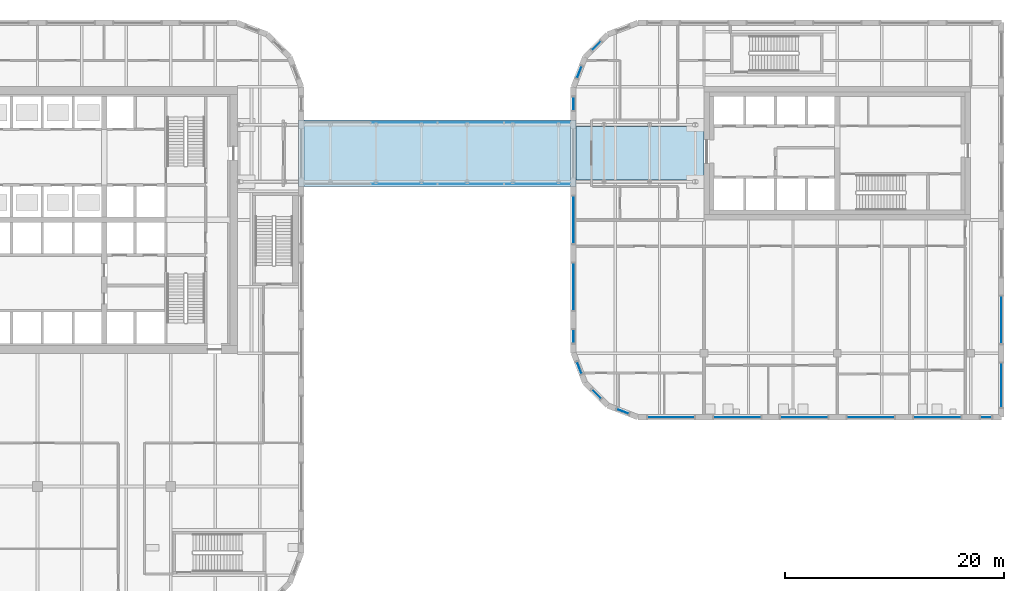
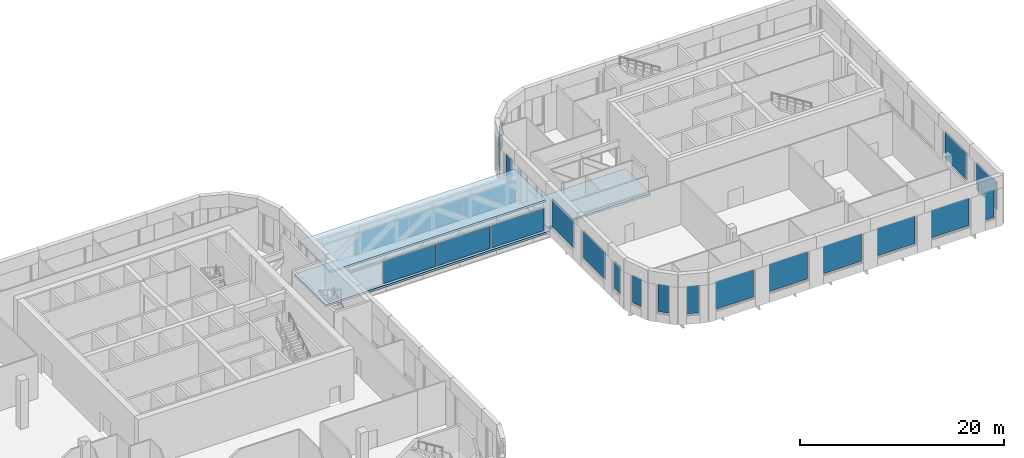
# One storey, part 18 of 36: 23 plates, 3 slabs, 23 elements without a shape of their own.
"""IFC4 building model written with IfcOpenShell, lengths in metres."""

from ifc_helpers import new_model, si_unit, direction, frame, origin, origin_2d, place, context, subcontext, project, spatial, polyline, rectangle, outline, extrude, material, layer, layer_set, type_object, element, aggregate, save


model = new_model("IFC4")

# Units and contexts
model_context = context("Model", 3, precision=1e-05, world=origin(), true_north=direction((0.0, 1.0)))
body_context = subcontext(model_context, "Body", "Model", "MODEL_VIEW")
ifc_project = project(units=[si_unit("LENGTHUNIT", "METRE"), si_unit("AREAUNIT", "SQUARE_METRE"), si_unit("VOLUMEUNIT", "CUBIC_METRE"), si_unit("PLANEANGLEUNIT", "RADIAN"), si_unit("MASSUNIT", "GRAM", prefix="KILO")], contexts=[model_context])

# Site, building, storey
site_placement = place(None, origin())
site = spatial("IfcSite", under=ifc_project, at=site_placement, CompositionType="ELEMENT")
building_placement = place(site_placement, origin())
building = spatial("IfcBuilding", under=site, at=building_placement, Name="Tessera Gate Towers", CompositionType="ELEMENT")
storey_placement = place(building_placement, frame((0.0, 0.0, 106.60009765625)))
storey = spatial("IfcBuildingStorey", under=building, at=storey_placement, Name="L26", CompositionType="ELEMENT", Elevation=106.60009765625)

# Slabs
ifc_material_1 = material(Name="Concrete C35/45", Category="concrete")
ifc_layer_1 = layer(ifc_material_1, 0.25)
ifc_layer_set_1 = layer_set([ifc_layer_1], Name="BRIDGE ROOF 250")
slab_type_1 = type_object("IfcSlabType", Name="BRIDGE ROOF 250", PredefinedType="ROOF", material=ifc_layer_set_1)
slab_1_placement = place(storey_placement, frame((0.0, 0.0, 3.60400390625)))
element("IfcSlab", 1, at=slab_1_placement, inside=storey, type_object=slab_type_1, Name="Bridge roof BR2", PredefinedType="ROOF", context=body_context, shape_type="SweptSolid", body=[
    extrude(outline(polyline([(61.0, 39.64990234375), (85.39990234375, 39.64990234375), (85.39990234375, 45.75), (61.0, 45.75), (61.0, 39.64990234375)])), origin(), (0.0, 0.0, 1.0), 0.25),
])
ifc_material_2 = material(Name="Concrete C35/45", Category="concrete")
ifc_layer_2 = layer(ifc_material_2, 0.25)
ifc_layer_set_2 = layer_set([ifc_layer_2], Name="COMPOSITE FLOOR 250")
slab_type_2 = type_object("IfcSlabType", Name="COMPOSITE FLOOR 250", PredefinedType="FLOOR", material=ifc_layer_set_2)
slab_2_placement = place(storey_placement, frame((0.0, 0.0, -0.25)))
element("IfcSlab", 2, at=slab_2_placement, inside=storey, type_object=slab_type_2, Name="T2-L26-B1", PredefinedType="FLOOR", context=body_context, shape_type="SweptSolid", body=[
    extrude(outline(polyline([(85.89990234375, 40.2509765625), (97.60009765625, 40.2509765625), (97.60009765625, 45.14892578125), (85.89990234375, 45.14892578125), (85.89990234375, 40.2509765625)])), origin(), (0.0, 0.0, 1.0), 0.25),
])
slab_3_placement = place(storey_placement, frame((0.0, 0.0, -0.25)))
element("IfcSlab", 3, at=slab_3_placement, inside=storey, type_object=slab_type_2, Name="BR2 bridge deck", PredefinedType="FLOOR", context=body_context, shape_type="SweptSolid", body=[
    extrude(outline(polyline([(60.5, 39.64990234375), (85.89990234375, 39.64990234375), (85.89990234375, 45.75), (60.5, 45.75), (60.5, 39.64990234375)])), origin(), (0.0, 0.0, 1.0), 0.25),
])

# Curtain wall, plate
ifc_material_3 = material(Name="Aluminium frame", Category="aluminium")
curtain_wall_type_1 = type_object("IfcCurtainWallType", Name="CW-S3 amenity floor glazing", PredefinedType="NOTDEFINED", material=ifc_material_3)
curtain_wall_1_placement = place(storey_placement, origin())
curtain_wall_1 = element("IfcCurtainWall", 4, at=curtain_wall_1_placement, inside=storey, type_object=curtain_wall_type_1, Name="Curtain wall amenity floor glazing 0119", PredefinedType="NOTDEFINED")
ifc_material_4 = material(Name="Low-e laminated glass", Category="glass")
ifc_layer_3 = layer(ifc_material_4, 0.035888671875)
ifc_layer_set_3 = layer_set([ifc_layer_3], Name="PN-S3 glass panel 36")
plate_type_1 = type_object("IfcPlateType", Name="PN-S3 glass panel 36", PredefinedType="CURTAIN_PANEL", material=ifc_layer_set_3)
plate_1_placement = place(storey_placement, frame((94.5732421875, 18.550048828125, 1.10009765625), z_axis=(0.0, 0.0, 1.0), x_axis=(1.0, 0.0, 0.0)))
plate_1 = element("IfcPlate", 5, at=plate_1_placement, type_object=plate_type_1, Name="T2-CW3-0119 panel 1.1", PredefinedType="CURTAIN_PANEL", context=body_context, shape_type="SweptSolid", body=[
    extrude(rectangle(XDim=4.25341796875, YDim=0.035888671875, at=origin_2d()), origin(), (0.0, 0.0, 1.0), 3.300048828125),
])
aggregate(curtain_wall_1, [plate_1])

curtain_wall_2_placement = place(storey_placement, origin())
curtain_wall_2 = element("IfcCurtainWall", 6, at=curtain_wall_2_placement, inside=storey, type_object=curtain_wall_type_1, Name="Curtain wall amenity floor glazing 0120", PredefinedType="NOTDEFINED")
plate_2_placement = place(storey_placement, frame((100.64990234375, 18.550048828125, 1.10009765625), z_axis=(0.0, 0.0, 1.0), x_axis=(1.0, 0.0, 0.0)))
plate_2 = element("IfcPlate", 7, at=plate_2_placement, type_object=plate_type_1, Name="T2-CW3-0120 panel 1.1", PredefinedType="CURTAIN_PANEL", context=body_context, shape_type="SweptSolid", body=[
    extrude(rectangle(XDim=4.300048828125, YDim=0.035888671875, at=origin_2d()), origin(), (0.0, 0.0, 1.0), 3.300048828125),
])
aggregate(curtain_wall_2, [plate_2])

curtain_wall_3_placement = place(storey_placement, origin())
curtain_wall_3 = element("IfcCurtainWall", 8, at=curtain_wall_3_placement, inside=storey, type_object=curtain_wall_type_1, Name="Curtain wall amenity floor glazing 0121", PredefinedType="NOTDEFINED")
plate_3_placement = place(storey_placement, frame((106.75, 18.550048828125, 1.10009765625), z_axis=(0.0, 0.0, 1.0), x_axis=(1.0, 0.0, 0.0)))
plate_3 = element("IfcPlate", 9, at=plate_3_placement, type_object=plate_type_1, Name="T2-CW3-0121 panel 1.1", PredefinedType="CURTAIN_PANEL", context=body_context, shape_type="SweptSolid", body=[
    extrude(rectangle(XDim=4.300048828125, YDim=0.035888671875, at=origin_2d()), origin(), (0.0, 0.0, 1.0), 3.300048828125),
])
aggregate(curtain_wall_3, [plate_3])

curtain_wall_4_placement = place(storey_placement, origin())
curtain_wall_4 = element("IfcCurtainWall", 10, at=curtain_wall_4_placement, inside=storey, type_object=curtain_wall_type_1, Name="Curtain wall amenity floor glazing 0122", PredefinedType="NOTDEFINED")
plate_4_placement = place(storey_placement, frame((112.85009765625, 18.550048828125, 1.10009765625), z_axis=(0.0, 0.0, 1.0), x_axis=(1.0, 0.0, 0.0)))
plate_4 = element("IfcPlate", 11, at=plate_4_placement, type_object=plate_type_1, Name="T2-CW3-0122 panel 1.1", PredefinedType="CURTAIN_PANEL", context=body_context, shape_type="SweptSolid", body=[
    extrude(rectangle(XDim=4.300048828125, YDim=0.035888671875, at=origin_2d()), origin(), (0.0, 0.0, 1.0), 3.300048828125),
])
aggregate(curtain_wall_4, [plate_4])

curtain_wall_5_placement = place(storey_placement, origin())
curtain_wall_5 = element("IfcCurtainWall", 12, at=curtain_wall_5_placement, inside=storey, type_object=curtain_wall_type_1, Name="Curtain wall amenity floor glazing 0123", PredefinedType="NOTDEFINED")
plate_5_placement = place(storey_placement, frame((118.949951171875, 18.550048828125, 1.10009765625), z_axis=(0.0, 0.0, 1.0), x_axis=(1.0, 0.0, 0.0)))
plate_5 = element("IfcPlate", 13, at=plate_5_placement, type_object=plate_type_1, Name="T2-CW3-0123 panel 1.1", PredefinedType="CURTAIN_PANEL", context=body_context, shape_type="SweptSolid", body=[
    extrude(rectangle(XDim=4.300048828125, YDim=0.035888671875, at=origin_2d()), origin(), (0.0, 0.0, 1.0), 3.300048828125),
])
aggregate(curtain_wall_5, [plate_5])

curtain_wall_6_placement = place(storey_placement, origin())
curtain_wall_6 = element("IfcCurtainWall", 14, at=curtain_wall_6_placement, inside=storey, type_object=curtain_wall_type_1, Name="Curtain wall amenity floor glazing 0124", PredefinedType="NOTDEFINED")
plate_6_placement = place(storey_placement, frame((123.39990234375, 18.550048828125, 1.10009765625), z_axis=(0.0, 0.0, 1.0), x_axis=(1.0, 0.0, 0.0)))
plate_6 = element("IfcPlate", 15, at=plate_6_placement, type_object=plate_type_1, Name="T2-CW3-0124 panel 1.1", PredefinedType="CURTAIN_PANEL", context=body_context, shape_type="SweptSolid", body=[
    extrude(rectangle(XDim=1.0, YDim=0.035888671875, at=origin_2d()), origin(), (0.0, 0.0, 1.0), 3.300048828125),
])
aggregate(curtain_wall_6, [plate_6])

curtain_wall_7_placement = place(storey_placement, origin())
curtain_wall_7 = element("IfcCurtainWall", 16, at=curtain_wall_7_placement, inside=storey, type_object=curtain_wall_type_1, Name="Curtain wall amenity floor glazing 0125", PredefinedType="NOTDEFINED")
plate_7_placement = place(storey_placement, frame((124.800048828125, 21.47509765625, 1.10009765625), z_axis=(0.0, 0.0, 1.0), x_axis=(0.0, 1.0, 0.0)))
plate_7 = element("IfcPlate", 17, at=plate_7_placement, type_object=plate_type_1, Name="T2-CW3-0125 panel 1.1", PredefinedType="CURTAIN_PANEL", context=body_context, shape_type="SweptSolid", body=[
    extrude(rectangle(XDim=4.050048828125, YDim=0.035888671875, at=origin_2d()), origin(), (0.0, 0.0, 1.0), 3.300048828125),
])
aggregate(curtain_wall_7, [plate_7])

curtain_wall_8_placement = place(storey_placement, origin())
curtain_wall_8 = element("IfcCurtainWall", 18, at=curtain_wall_8_placement, inside=storey, type_object=curtain_wall_type_1, Name="Curtain wall amenity floor glazing 0126", PredefinedType="NOTDEFINED")
plate_8_placement = place(storey_placement, frame((124.800048828125, 27.449951171875, 1.10009765625), z_axis=(0.0, 0.0, 1.0), x_axis=(0.0, 1.0, 0.0)))
plate_8 = element("IfcPlate", 19, at=plate_8_placement, type_object=plate_type_1, Name="T2-CW3-0126 panel 1.1", PredefinedType="CURTAIN_PANEL", context=body_context, shape_type="SweptSolid", body=[
    extrude(rectangle(XDim=4.300048828125, YDim=0.035888671875, at=origin_2d()), origin(), (0.0, 0.0, 1.0), 3.300048828125),
])
aggregate(curtain_wall_8, [plate_8])

curtain_wall_9_placement = place(storey_placement, origin())
curtain_wall_9 = element("IfcCurtainWall", 20, at=curtain_wall_9_placement, inside=storey, type_object=curtain_wall_type_1, Name="Curtain wall amenity floor glazing 0138", PredefinedType="NOTDEFINED")
plate_9_placement = place(storey_placement, frame((87.7529296875, 52.547119140625, 1.10009765625), z_axis=(0.0, 0.0, 1.0), x_axis=(-0.707106781187, -0.707106781187, 0.0)))
plate_9 = element("IfcPlate", 21, at=plate_9_placement, type_object=plate_type_1, Name="T2-CW3-0138 panel 1.1", PredefinedType="CURTAIN_PANEL", context=body_context, shape_type="SweptSolid", body=[
    extrude(rectangle(XDim=1.14404296875, YDim=0.035888671875, at=origin_2d()), origin(), (0.0, 0.0, 1.0), 3.300048828125),
])
aggregate(curtain_wall_9, [plate_9])

curtain_wall_10_placement = place(storey_placement, origin())
curtain_wall_10 = element("IfcCurtainWall", 22, at=curtain_wall_10_placement, inside=storey, type_object=curtain_wall_type_1, Name="Curtain wall amenity floor glazing 0139", PredefinedType="NOTDEFINED")
plate_10_placement = place(storey_placement, frame((86.180908203125, 50.1298828125, 1.10009765625), z_axis=(0.0, 0.0, 1.0), x_axis=(-0.359904070394, -0.932989314041, 0.0)))
plate_10 = element("IfcPlate", 23, at=plate_10_placement, type_object=plate_type_1, Name="T2-CW3-0139 panel 1.1", PredefinedType="CURTAIN_PANEL", context=body_context, shape_type="SweptSolid", body=[
    extrude(rectangle(XDim=1.150634765625, YDim=0.035888671875, at=origin_2d()), origin(), (0.0, 0.0, 1.0), 3.300048828125),
])
aggregate(curtain_wall_10, [plate_10])

curtain_wall_11_placement = place(storey_placement, origin())
curtain_wall_11 = element("IfcCurtainWall", 24, at=curtain_wall_11_placement, inside=storey, type_object=curtain_wall_type_1, Name="Curtain wall amenity floor glazing 0140", PredefinedType="NOTDEFINED")
plate_11_placement = place(storey_placement, frame((85.64990234375, 47.251708984375, 1.10009765625), z_axis=(0.0, 0.0, 1.0), x_axis=(0.0, -1.0, 0.0)))
plate_11 = element("IfcPlate", 25, at=plate_11_placement, type_object=plate_type_1, Name="T2-CW3-0140 panel 1.1", PredefinedType="CURTAIN_PANEL", context=body_context, shape_type="SweptSolid", body=[
    extrude(rectangle(XDim=1.203369140625, YDim=0.035888671875, at=origin_2d()), origin(), (0.0, 0.0, 1.0), 3.300048828125),
])
aggregate(curtain_wall_11, [plate_11])

curtain_wall_12_placement = place(storey_placement, origin())
curtain_wall_12 = element("IfcCurtainWall", 26, at=curtain_wall_12_placement, inside=storey, type_object=curtain_wall_type_1, Name="Curtain wall amenity floor glazing 0141", PredefinedType="NOTDEFINED")
plate_12_placement = place(storey_placement, frame((85.64990234375, 36.60009765625, 1.10009765625), z_axis=(0.0, 0.0, 1.0), x_axis=(0.0, -1.0, 0.0)))
plate_12 = element("IfcPlate", 27, at=plate_12_placement, type_object=plate_type_1, Name="T2-CW3-0141 panel 1.1", PredefinedType="CURTAIN_PANEL", context=body_context, shape_type="SweptSolid", body=[
    extrude(rectangle(XDim=4.300048828125, YDim=0.035888671875, at=origin_2d()), origin(), (0.0, 0.0, 1.0), 3.300048828125),
])
aggregate(curtain_wall_12, [plate_12])

curtain_wall_13_placement = place(storey_placement, origin())
curtain_wall_13 = element("IfcCurtainWall", 28, at=curtain_wall_13_placement, inside=storey, type_object=curtain_wall_type_1, Name="Curtain wall amenity floor glazing 0142", PredefinedType="NOTDEFINED")
plate_13_placement = place(storey_placement, frame((85.64990234375, 30.5, 1.10009765625), z_axis=(0.0, 0.0, 1.0), x_axis=(0.0, -1.0, 0.0)))
plate_13 = element("IfcPlate", 29, at=plate_13_placement, type_object=plate_type_1, Name="T2-CW3-0142 panel 1.1", PredefinedType="CURTAIN_PANEL", context=body_context, shape_type="SweptSolid", body=[
    extrude(rectangle(XDim=4.300048828125, YDim=0.035888671875, at=origin_2d()), origin(), (0.0, 0.0, 1.0), 3.300048828125),
])
aggregate(curtain_wall_13, [plate_13])

curtain_wall_14_placement = place(storey_placement, origin())
curtain_wall_14 = element("IfcCurtainWall", 30, at=curtain_wall_14_placement, inside=storey, type_object=curtain_wall_type_1, Name="Curtain wall amenity floor glazing 0143", PredefinedType="NOTDEFINED")
plate_14_placement = place(storey_placement, frame((85.64990234375, 25.9482421875, 1.10009765625), z_axis=(0.0, 0.0, 1.0), x_axis=(0.0, -1.0, 0.0)))
plate_14 = element("IfcPlate", 31, at=plate_14_placement, type_object=plate_type_1, Name="T2-CW3-0143 panel 1.1", PredefinedType="CURTAIN_PANEL", context=body_context, shape_type="SweptSolid", body=[
    extrude(rectangle(XDim=1.203369140625, YDim=0.035888671875, at=origin_2d()), origin(), (0.0, 0.0, 1.0), 3.300048828125),
])
aggregate(curtain_wall_14, [plate_14])

curtain_wall_15_placement = place(storey_placement, origin())
curtain_wall_15 = element("IfcCurtainWall", 32, at=curtain_wall_15_placement, inside=storey, type_object=curtain_wall_type_1, Name="Curtain wall amenity floor glazing 0144", PredefinedType="NOTDEFINED")
plate_15_placement = place(storey_placement, frame((86.180908203125, 23.070068359375, 1.10009765625), z_axis=(0.0, 0.0, 1.0), x_axis=(0.359904070394, -0.932989314041, 0.0)))
plate_15 = element("IfcPlate", 33, at=plate_15_placement, type_object=plate_type_1, Name="T2-CW3-0144 panel 1.1", PredefinedType="CURTAIN_PANEL", context=body_context, shape_type="SweptSolid", body=[
    extrude(rectangle(XDim=1.150634765625, YDim=0.035888671875, at=origin_2d()), origin(), (0.0, 0.0, 1.0), 3.300048828125),
])
aggregate(curtain_wall_15, [plate_15])

curtain_wall_16_placement = place(storey_placement, origin())
curtain_wall_16 = element("IfcCurtainWall", 34, at=curtain_wall_16_placement, inside=storey, type_object=curtain_wall_type_1, Name="Curtain wall amenity floor glazing 0145", PredefinedType="NOTDEFINED")
plate_16_placement = place(storey_placement, frame((87.7529296875, 20.65283203125, 1.10009765625), z_axis=(0.0, 0.0, 1.0), x_axis=(0.707106781187, -0.707106781187, 0.0)))
plate_16 = element("IfcPlate", 35, at=plate_16_placement, type_object=plate_type_1, Name="T2-CW3-0145 panel 1.1", PredefinedType="CURTAIN_PANEL", context=body_context, shape_type="SweptSolid", body=[
    extrude(rectangle(XDim=1.14404296875, YDim=0.035888671875, at=origin_2d()), origin(), (0.0, 0.0, 1.0), 3.300048828125),
])
aggregate(curtain_wall_16, [plate_16])

curtain_wall_17_placement = place(storey_placement, origin())
curtain_wall_17 = element("IfcCurtainWall", 36, at=curtain_wall_17_placement, inside=storey, type_object=curtain_wall_type_1, Name="Curtain wall amenity floor glazing 0146", PredefinedType="NOTDEFINED")
plate_17_placement = place(storey_placement, frame((90.170166015625, 19.0810546875, 1.10009765625), z_axis=(0.0, 0.0, 1.0), x_axis=(0.932989314041, -0.359904070394, 0.0)))
plate_17 = element("IfcPlate", 37, at=plate_17_placement, type_object=plate_type_1, Name="T2-CW3-0146 panel 1.1", PredefinedType="CURTAIN_PANEL", context=body_context, shape_type="SweptSolid", body=[
    extrude(rectangle(XDim=1.150634765625, YDim=0.035888671875, at=origin_2d()), origin(), (0.0, 0.0, 1.0), 3.300048828125),
])
aggregate(curtain_wall_17, [plate_17])

ifc_material_5 = material(Name="Aluminium frame", Category="aluminium")
curtain_wall_type_2 = type_object("IfcCurtainWallType", Name="CW-S5 bridge enclosure", PredefinedType="NOTDEFINED", material=ifc_material_5)
curtain_wall_18_placement = place(storey_placement, origin())
curtain_wall_18 = element("IfcCurtainWall", 38, at=curtain_wall_18_placement, inside=storey, type_object=curtain_wall_type_2, Name="Curtain wall bridge enclosure 0227", PredefinedType="NOTDEFINED")
ifc_material_6 = material(Name="Low-e laminated glass", Category="glass")
ifc_layer_4 = layer(ifc_material_6, 0.030029296875)
ifc_layer_set_4 = layer_set([ifc_layer_4], Name="PN-S5 glass panel 30")
plate_type_2 = type_object("IfcPlateType", Name="PN-S5 glass panel 30", PredefinedType="CURTAIN_PANEL", material=ifc_layer_set_4)
plate_18_placement = place(storey_placement, frame((70.14990234375, 39.89208984375, 0.06005859375), z_axis=(0.0, 0.0, 1.0), x_axis=(1.0, 0.0, 0.0)))
plate_18 = element("IfcPlate", 39, at=plate_18_placement, type_object=plate_type_2, Name="BR2-CW5-0227 panel 1.1", PredefinedType="CURTAIN_PANEL", context=body_context, shape_type="SweptSolid", body=[
    extrude(rectangle(XDim=5.97998046875, YDim=0.030029296875, at=origin_2d()), origin(), (0.0, 0.0, 1.0), 2.64892578125),
])
aggregate(curtain_wall_18, [plate_18])

curtain_wall_19_placement = place(storey_placement, origin())
curtain_wall_19 = element("IfcCurtainWall", 40, at=curtain_wall_19_placement, inside=storey, type_object=curtain_wall_type_2, Name="Curtain wall bridge enclosure 0228", PredefinedType="NOTDEFINED")
plate_19_placement = place(storey_placement, frame((76.25, 39.89208984375, 0.06005859375), z_axis=(0.0, 0.0, 1.0), x_axis=(1.0, 0.0, 0.0)))
plate_19 = element("IfcPlate", 41, at=plate_19_placement, type_object=plate_type_2, Name="BR2-CW5-0228 panel 1.1", PredefinedType="CURTAIN_PANEL", context=body_context, shape_type="SweptSolid", body=[
    extrude(rectangle(XDim=5.97998046875, YDim=0.030029296875, at=origin_2d()), origin(), (0.0, 0.0, 1.0), 2.64892578125),
])
aggregate(curtain_wall_19, [plate_19])

curtain_wall_20_placement = place(storey_placement, origin())
curtain_wall_20 = element("IfcCurtainWall", 42, at=curtain_wall_20_placement, inside=storey, type_object=curtain_wall_type_2, Name="Curtain wall bridge enclosure 0229", PredefinedType="NOTDEFINED")
plate_20_placement = place(storey_placement, frame((82.35009765625, 39.89208984375, 0.06005859375), z_axis=(0.0, 0.0, 1.0), x_axis=(1.0, 0.0, 0.0)))
plate_20 = element("IfcPlate", 43, at=plate_20_placement, type_object=plate_type_2, Name="BR2-CW5-0229 panel 1.1", PredefinedType="CURTAIN_PANEL", context=body_context, shape_type="SweptSolid", body=[
    extrude(rectangle(XDim=5.97998046875, YDim=0.030029296875, at=origin_2d()), origin(), (0.0, 0.0, 1.0), 2.64892578125),
])
aggregate(curtain_wall_20, [plate_20])

curtain_wall_21_placement = place(storey_placement, origin())
curtain_wall_21 = element("IfcCurtainWall", 44, at=curtain_wall_21_placement, inside=storey, type_object=curtain_wall_type_2, Name="Curtain wall bridge enclosure 0231", PredefinedType="NOTDEFINED")
plate_21_placement = place(storey_placement, frame((70.14990234375, 45.508056640625, 0.06005859375), z_axis=(0.0, 0.0, 1.0), x_axis=(1.0, 0.0, 0.0)))
plate_21 = element("IfcPlate", 45, at=plate_21_placement, type_object=plate_type_2, Name="BR2-CW5-0231 panel 1.1", PredefinedType="CURTAIN_PANEL", context=body_context, shape_type="SweptSolid", body=[
    extrude(rectangle(XDim=5.97998046875, YDim=0.030029296875, at=origin_2d()), origin(), (0.0, 0.0, 1.0), 2.64892578125),
])
aggregate(curtain_wall_21, [plate_21])

curtain_wall_22_placement = place(storey_placement, origin())
curtain_wall_22 = element("IfcCurtainWall", 46, at=curtain_wall_22_placement, inside=storey, type_object=curtain_wall_type_2, Name="Curtain wall bridge enclosure 0232", PredefinedType="NOTDEFINED")
plate_22_placement = place(storey_placement, frame((76.25, 45.508056640625, 0.06005859375), z_axis=(0.0, 0.0, 1.0), x_axis=(1.0, 0.0, 0.0)))
plate_22 = element("IfcPlate", 47, at=plate_22_placement, type_object=plate_type_2, Name="BR2-CW5-0232 panel 1.1", PredefinedType="CURTAIN_PANEL", context=body_context, shape_type="SweptSolid", body=[
    extrude(rectangle(XDim=5.97998046875, YDim=0.030029296875, at=origin_2d()), origin(), (0.0, 0.0, 1.0), 2.64892578125),
])
aggregate(curtain_wall_22, [plate_22])

curtain_wall_23_placement = place(storey_placement, origin())
curtain_wall_23 = element("IfcCurtainWall", 48, at=curtain_wall_23_placement, inside=storey, type_object=curtain_wall_type_2, Name="Curtain wall bridge enclosure 0233", PredefinedType="NOTDEFINED")
plate_23_placement = place(storey_placement, frame((82.35009765625, 45.508056640625, 0.06005859375), z_axis=(0.0, 0.0, 1.0), x_axis=(1.0, 0.0, 0.0)))
plate_23 = element("IfcPlate", 49, at=plate_23_placement, type_object=plate_type_2, Name="BR2-CW5-0233 panel 1.1", PredefinedType="CURTAIN_PANEL", context=body_context, shape_type="SweptSolid", body=[
    extrude(rectangle(XDim=5.97998046875, YDim=0.030029296875, at=origin_2d()), origin(), (0.0, 0.0, 1.0), 2.64892578125),
])
aggregate(curtain_wall_23, [plate_23])

save(model, "model.ifc")
